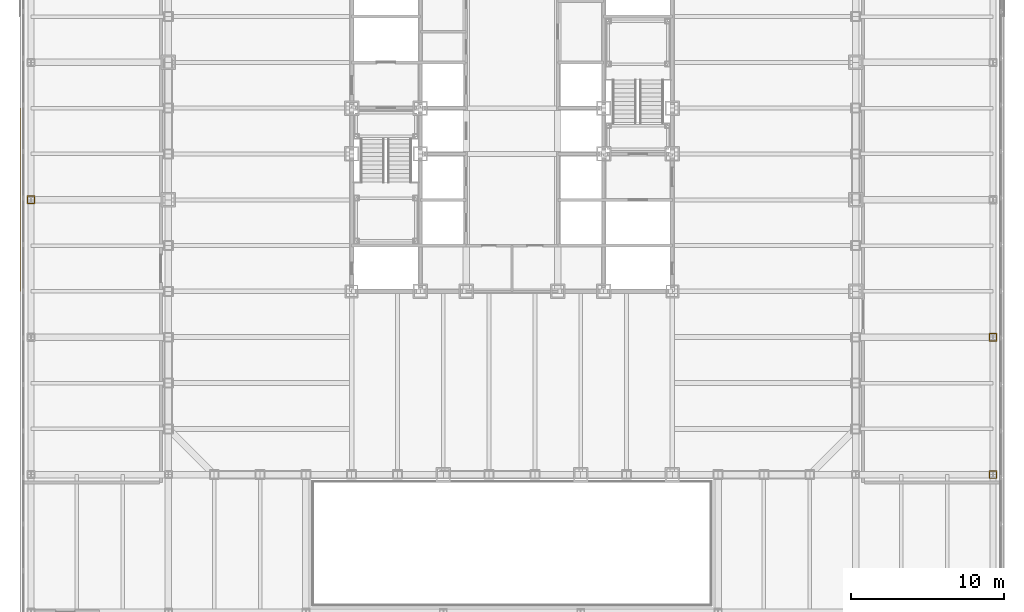
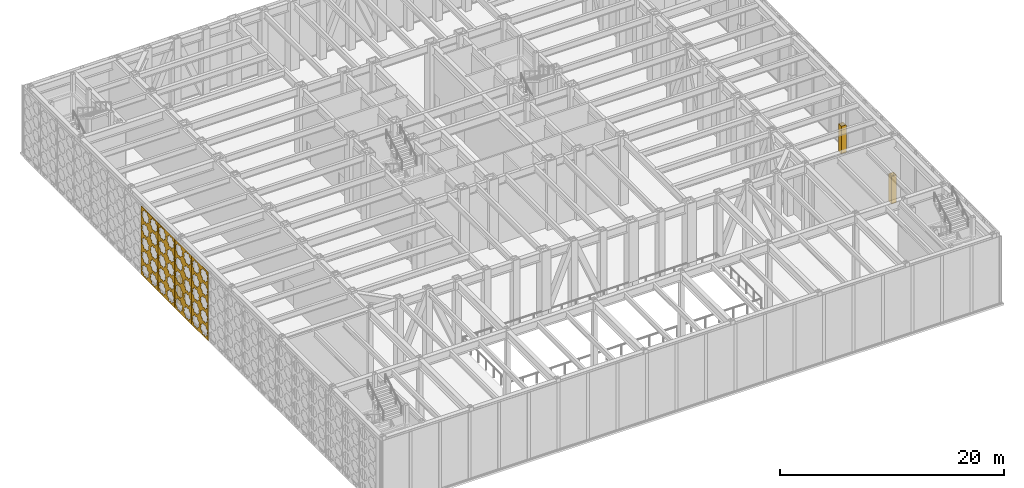
# One storey, part 27 of 34: 4 shading devices, 3 coverings.
"""IFC4 building model written with IfcOpenShell, lengths in metres."""

from ifc_helpers import new_model, si_unit, direction, frame, origin, place, context, subcontext, project, spatial, polyline, outline, extrude, material, layer, layer_set, type_object, element, save


model = new_model("IFC4")

# Units and contexts
model_context = context("Model", 3, precision=1e-05, world=origin(), true_north=direction((0.0, 1.0)))
body_context = subcontext(model_context, "Body", "Model", "MODEL_VIEW")
ifc_project = project(units=[si_unit("LENGTHUNIT", "METRE"), si_unit("AREAUNIT", "SQUARE_METRE"), si_unit("VOLUMEUNIT", "CUBIC_METRE"), si_unit("PLANEANGLEUNIT", "RADIAN"), si_unit("MASSUNIT", "GRAM", prefix="KILO")], contexts=[model_context])

# Site, building, storey
site_placement = place(None, origin())
site = spatial("IfcSite", under=ifc_project, at=site_placement, CompositionType="ELEMENT")
building_placement = place(site_placement, origin())
building = spatial("IfcBuilding", under=site, at=building_placement, Name="Chuquiago Exchange Tower", CompositionType="ELEMENT")
storey_placement = place(building_placement, frame((0.0, 0.0, 6.0)))
storey = spatial("IfcBuildingStorey", under=building, at=storey_placement, Name="L01", CompositionType="ELEMENT", Elevation=6.0)

# Coverings
ifc_material_1 = material(Name="Pale metal sheet casing on rails", Category="aluminium")
ifc_layer_1 = layer(ifc_material_1, 0.050048828125)
ifc_layer_set_1 = layer_set([ifc_layer_1], Name="CS1 column casing 50")
covering_type = type_object("IfcCoveringType", Name="CS1 column casing 50", PredefinedType="CLADDING", material=ifc_layer_set_1)
covering_1_placement = place(storey_placement, origin())
element("IfcCovering", 1, at=covering_1_placement, inside=storey, type_object=covering_type, Name="Column casing L01", PredefinedType="CLADDING", context=body_context, shape_type="SweptSolid", body=[
    extrude(outline(polyline([(-9.255615234375, 17.73291015625), (-8.744384765625, 17.73291015625), (-8.744384765625, 18.26708984375), (-9.255615234375, 18.26708984375), (-9.255615234375, 17.73291015625)]), holes=[polyline([(-9.205810546875, 17.78271484375), (-9.205810546875, 18.21728515625), (-8.794189453125, 18.21728515625), (-8.794189453125, 17.78271484375), (-9.205810546875, 17.78271484375)])]), origin(), (0.0, 0.0, 1.0), 3.0),
])
covering_2_placement = place(storey_placement, origin())
element("IfcCovering", 2, at=covering_2_placement, inside=storey, type_object=covering_type, Name="Column casing L01", PredefinedType="CLADDING", context=body_context, shape_type="SweptSolid", body=[
    extrude(outline(polyline([(53.744384765625, -0.26708984375), (54.255615234375, -0.26708984375), (54.255615234375, 0.26708984375), (53.744384765625, 0.26708984375), (53.744384765625, -0.26708984375)]), holes=[polyline([(53.794189453125, -0.21728515625), (53.794189453125, 0.21728515625), (54.205810546875, 0.21728515625), (54.205810546875, -0.21728515625), (53.794189453125, -0.21728515625)])]), origin(), (0.0, 0.0, 1.0), 3.0),
])
covering_3_placement = place(storey_placement, origin())
element("IfcCovering", 3, at=covering_3_placement, inside=storey, type_object=covering_type, Name="Column casing L01", PredefinedType="CLADDING", context=body_context, shape_type="SweptSolid", body=[
    extrude(outline(polyline([(53.744384765625, 8.73291015625), (54.255615234375, 8.73291015625), (54.255615234375, 9.26708984375), (53.744384765625, 9.26708984375), (53.744384765625, 8.73291015625)]), holes=[polyline([(53.794189453125, 8.78271484375), (53.794189453125, 9.21728515625), (54.205810546875, 9.21728515625), (54.205810546875, 8.78271484375), (53.794189453125, 8.78271484375)])]), origin(), (0.0, 0.0, 1.0), 3.0),
])

# Shading devices
ifc_material_2 = material(Name="Pale metal, perforated in an eight-point star pattern", Category="aluminium")
ifc_layer_2 = layer(ifc_material_2, 0.02001953125)
ifc_layer_set_2 = layer_set([ifc_layer_2], Name="SC1 mashrabiya screen 20")
shading_device_type = type_object("IfcShadingDeviceType", Name="SC1 mashrabiya screen 20", PredefinedType="SHUTTER", material=ifc_layer_set_2)
shading_device_1_placement = place(storey_placement, frame((-9.699951171875, 14.989990234375, -0.199951171875), z_axis=(0.0, 0.0, 1.0), x_axis=(0.0, -1.0, 0.0)))
element("IfcShadingDevice", 4, at=shading_device_1_placement, inside=storey, type_object=shading_device_type, Name="Mashrabiya screen L01 W 11", PredefinedType="SHUTTER", context=body_context, shape_type="SweptSolid", body=[
    extrude(outline(polyline([(0.0, 0.0), (2.97998046875, 0.0), (2.97998046875, 7.5), (0.0, 7.5), (0.0, 0.0)]), holes=[polyline([(1.26953125, 0.77001953125), (1.378173828125, 1.0322265625), (1.115966796875, 1.140869140625), (1.00732421875, 1.403076171875), (0.7451171875, 1.29443359375), (0.482666015625, 1.403076171875), (0.3740234375, 1.140869140625), (0.11181640625, 1.0322265625), (0.220458984375, 0.77001953125), (0.11181640625, 0.507568359375), (0.3740234375, 0.39892578125), (0.482666015625, 0.13671875), (0.7451171875, 0.245361328125), (1.00732421875, 0.13671875), (1.115966796875, 0.39892578125), (1.378173828125, 0.507568359375), (1.26953125, 0.77001953125)]), polyline([(2.759521484375, 0.77001953125), (2.8681640625, 1.0322265625), (2.60595703125, 1.140869140625), (2.497314453125, 1.403076171875), (2.235107421875, 1.29443359375), (1.97265625, 1.403076171875), (1.864013671875, 1.140869140625), (1.601806640625, 1.0322265625), (1.71044921875, 0.77001953125), (1.601806640625, 0.507568359375), (1.864013671875, 0.39892578125), (1.97265625, 0.13671875), (2.235107421875, 0.245361328125), (2.497314453125, 0.13671875), (2.60595703125, 0.39892578125), (2.8681640625, 0.507568359375), (2.759521484375, 0.77001953125)]), polyline([(1.26953125, 2.260009765625), (1.378173828125, 2.522216796875), (1.115966796875, 2.630859375), (1.00732421875, 2.89306640625), (0.7451171875, 2.78466796875), (0.482666015625, 2.89306640625), (0.3740234375, 2.630859375), (0.11181640625, 2.522216796875), (0.220458984375, 2.260009765625), (0.11181640625, 1.99755859375), (0.3740234375, 1.888916015625), (0.482666015625, 1.626708984375), (0.7451171875, 1.7353515625), (1.00732421875, 1.626708984375), (1.115966796875, 1.888916015625), (1.378173828125, 1.99755859375), (1.26953125, 2.260009765625)]), polyline([(2.759521484375, 2.260009765625), (2.8681640625, 2.522216796875), (2.60595703125, 2.630859375), (2.497314453125, 2.89306640625), (2.235107421875, 2.78466796875), (1.97265625, 2.89306640625), (1.864013671875, 2.630859375), (1.601806640625, 2.522216796875), (1.71044921875, 2.260009765625), (1.601806640625, 1.99755859375), (1.864013671875, 1.888916015625), (1.97265625, 1.626708984375), (2.235107421875, 1.7353515625), (2.497314453125, 1.626708984375), (2.60595703125, 1.888916015625), (2.8681640625, 1.99755859375), (2.759521484375, 2.260009765625)]), polyline([(1.26953125, 3.75), (1.378173828125, 4.01220703125), (1.115966796875, 4.120849609375), (1.00732421875, 4.383056640625), (0.7451171875, 4.274658203125), (0.482666015625, 4.383056640625), (0.3740234375, 4.120849609375), (0.11181640625, 4.01220703125), (0.220458984375, 3.75), (0.11181640625, 3.487548828125), (0.3740234375, 3.37890625), (0.482666015625, 3.11669921875), (0.7451171875, 3.225341796875), (1.00732421875, 3.11669921875), (1.115966796875, 3.37890625), (1.378173828125, 3.487548828125), (1.26953125, 3.75)]), polyline([(2.759521484375, 3.75), (2.8681640625, 4.01220703125), (2.60595703125, 4.120849609375), (2.497314453125, 4.383056640625), (2.235107421875, 4.274658203125), (1.97265625, 4.383056640625), (1.864013671875, 4.120849609375), (1.601806640625, 4.01220703125), (1.71044921875, 3.75), (1.601806640625, 3.487548828125), (1.864013671875, 3.37890625), (1.97265625, 3.11669921875), (2.235107421875, 3.225341796875), (2.497314453125, 3.11669921875), (2.60595703125, 3.37890625), (2.8681640625, 3.487548828125), (2.759521484375, 3.75)]), polyline([(1.26953125, 5.239990234375), (1.378173828125, 5.502197265625), (1.115966796875, 5.61083984375), (1.00732421875, 5.873046875), (0.7451171875, 5.7646484375), (0.482666015625, 5.873046875), (0.3740234375, 5.61083984375), (0.11181640625, 5.502197265625), (0.220458984375, 5.239990234375), (0.11181640625, 4.9775390625), (0.3740234375, 4.868896484375), (0.482666015625, 4.606689453125), (0.7451171875, 4.71533203125), (1.00732421875, 4.606689453125), (1.115966796875, 4.868896484375), (1.378173828125, 4.9775390625), (1.26953125, 5.239990234375)]), polyline([(2.759521484375, 5.239990234375), (2.8681640625, 5.502197265625), (2.60595703125, 5.61083984375), (2.497314453125, 5.873046875), (2.235107421875, 5.7646484375), (1.97265625, 5.873046875), (1.864013671875, 5.61083984375), (1.601806640625, 5.502197265625), (1.71044921875, 5.239990234375), (1.601806640625, 4.9775390625), (1.864013671875, 4.868896484375), (1.97265625, 4.606689453125), (2.235107421875, 4.71533203125), (2.497314453125, 4.606689453125), (2.60595703125, 4.868896484375), (2.8681640625, 4.9775390625), (2.759521484375, 5.239990234375)]), polyline([(1.26953125, 6.72998046875), (1.378173828125, 6.9921875), (1.115966796875, 7.100830078125), (1.00732421875, 7.363037109375), (0.7451171875, 7.254638671875), (0.482666015625, 7.363037109375), (0.3740234375, 7.100830078125), (0.11181640625, 6.9921875), (0.220458984375, 6.72998046875), (0.11181640625, 6.467529296875), (0.3740234375, 6.35888671875), (0.482666015625, 6.0966796875), (0.7451171875, 6.205322265625), (1.00732421875, 6.0966796875), (1.115966796875, 6.35888671875), (1.378173828125, 6.467529296875), (1.26953125, 6.72998046875)]), polyline([(2.759521484375, 6.72998046875), (2.8681640625, 6.9921875), (2.60595703125, 7.100830078125), (2.497314453125, 7.363037109375), (2.235107421875, 7.254638671875), (1.97265625, 7.363037109375), (1.864013671875, 7.100830078125), (1.601806640625, 6.9921875), (1.71044921875, 6.72998046875), (1.601806640625, 6.467529296875), (1.864013671875, 6.35888671875), (1.97265625, 6.0966796875), (2.235107421875, 6.205322265625), (2.497314453125, 6.0966796875), (2.60595703125, 6.35888671875), (2.8681640625, 6.467529296875), (2.759521484375, 6.72998046875)])]), frame((0.0, 0.0, 0.0), z_axis=(0.0, -1.0, 0.0), x_axis=(1.0, 0.0, 0.0)), (0.0, 0.0, 1.0), 0.02001953125),
])
shading_device_2_placement = place(storey_placement, frame((-9.699951171875, 17.989990234375, -0.199951171875), z_axis=(0.0, 0.0, 1.0), x_axis=(0.0, -1.0, 0.0)))
element("IfcShadingDevice", 5, at=shading_device_2_placement, inside=storey, type_object=shading_device_type, Name="Mashrabiya screen L01 W 12", PredefinedType="SHUTTER", context=body_context, shape_type="SweptSolid", body=[
    extrude(outline(polyline([(0.0, 0.0), (2.97998046875, 0.0), (2.97998046875, 7.5), (0.0, 7.5), (0.0, 0.0)]), holes=[polyline([(1.26953125, 0.77001953125), (1.378173828125, 1.0322265625), (1.115966796875, 1.140869140625), (1.00732421875, 1.403076171875), (0.7451171875, 1.29443359375), (0.482666015625, 1.403076171875), (0.3740234375, 1.140869140625), (0.11181640625, 1.0322265625), (0.220458984375, 0.77001953125), (0.11181640625, 0.507568359375), (0.3740234375, 0.39892578125), (0.482666015625, 0.13671875), (0.7451171875, 0.245361328125), (1.00732421875, 0.13671875), (1.115966796875, 0.39892578125), (1.378173828125, 0.507568359375), (1.26953125, 0.77001953125)]), polyline([(2.759521484375, 0.77001953125), (2.8681640625, 1.0322265625), (2.60595703125, 1.140869140625), (2.497314453125, 1.403076171875), (2.235107421875, 1.29443359375), (1.97265625, 1.403076171875), (1.864013671875, 1.140869140625), (1.601806640625, 1.0322265625), (1.71044921875, 0.77001953125), (1.601806640625, 0.507568359375), (1.864013671875, 0.39892578125), (1.97265625, 0.13671875), (2.235107421875, 0.245361328125), (2.497314453125, 0.13671875), (2.60595703125, 0.39892578125), (2.8681640625, 0.507568359375), (2.759521484375, 0.77001953125)]), polyline([(1.26953125, 2.260009765625), (1.378173828125, 2.522216796875), (1.115966796875, 2.630859375), (1.00732421875, 2.89306640625), (0.7451171875, 2.78466796875), (0.482666015625, 2.89306640625), (0.3740234375, 2.630859375), (0.11181640625, 2.522216796875), (0.220458984375, 2.260009765625), (0.11181640625, 1.99755859375), (0.3740234375, 1.888916015625), (0.482666015625, 1.626708984375), (0.7451171875, 1.7353515625), (1.00732421875, 1.626708984375), (1.115966796875, 1.888916015625), (1.378173828125, 1.99755859375), (1.26953125, 2.260009765625)]), polyline([(2.759521484375, 2.260009765625), (2.8681640625, 2.522216796875), (2.60595703125, 2.630859375), (2.497314453125, 2.89306640625), (2.235107421875, 2.78466796875), (1.97265625, 2.89306640625), (1.864013671875, 2.630859375), (1.601806640625, 2.522216796875), (1.71044921875, 2.260009765625), (1.601806640625, 1.99755859375), (1.864013671875, 1.888916015625), (1.97265625, 1.626708984375), (2.235107421875, 1.7353515625), (2.497314453125, 1.626708984375), (2.60595703125, 1.888916015625), (2.8681640625, 1.99755859375), (2.759521484375, 2.260009765625)]), polyline([(1.26953125, 3.75), (1.378173828125, 4.01220703125), (1.115966796875, 4.120849609375), (1.00732421875, 4.383056640625), (0.7451171875, 4.274658203125), (0.482666015625, 4.383056640625), (0.3740234375, 4.120849609375), (0.11181640625, 4.01220703125), (0.220458984375, 3.75), (0.11181640625, 3.487548828125), (0.3740234375, 3.37890625), (0.482666015625, 3.11669921875), (0.7451171875, 3.225341796875), (1.00732421875, 3.11669921875), (1.115966796875, 3.37890625), (1.378173828125, 3.487548828125), (1.26953125, 3.75)]), polyline([(2.759521484375, 3.75), (2.8681640625, 4.01220703125), (2.60595703125, 4.120849609375), (2.497314453125, 4.383056640625), (2.235107421875, 4.274658203125), (1.97265625, 4.383056640625), (1.864013671875, 4.120849609375), (1.601806640625, 4.01220703125), (1.71044921875, 3.75), (1.601806640625, 3.487548828125), (1.864013671875, 3.37890625), (1.97265625, 3.11669921875), (2.235107421875, 3.225341796875), (2.497314453125, 3.11669921875), (2.60595703125, 3.37890625), (2.8681640625, 3.487548828125), (2.759521484375, 3.75)]), polyline([(1.26953125, 5.239990234375), (1.378173828125, 5.502197265625), (1.115966796875, 5.61083984375), (1.00732421875, 5.873046875), (0.7451171875, 5.7646484375), (0.482666015625, 5.873046875), (0.3740234375, 5.61083984375), (0.11181640625, 5.502197265625), (0.220458984375, 5.239990234375), (0.11181640625, 4.9775390625), (0.3740234375, 4.868896484375), (0.482666015625, 4.606689453125), (0.7451171875, 4.71533203125), (1.00732421875, 4.606689453125), (1.115966796875, 4.868896484375), (1.378173828125, 4.9775390625), (1.26953125, 5.239990234375)]), polyline([(2.759521484375, 5.239990234375), (2.8681640625, 5.502197265625), (2.60595703125, 5.61083984375), (2.497314453125, 5.873046875), (2.235107421875, 5.7646484375), (1.97265625, 5.873046875), (1.864013671875, 5.61083984375), (1.601806640625, 5.502197265625), (1.71044921875, 5.239990234375), (1.601806640625, 4.9775390625), (1.864013671875, 4.868896484375), (1.97265625, 4.606689453125), (2.235107421875, 4.71533203125), (2.497314453125, 4.606689453125), (2.60595703125, 4.868896484375), (2.8681640625, 4.9775390625), (2.759521484375, 5.239990234375)]), polyline([(1.26953125, 6.72998046875), (1.378173828125, 6.9921875), (1.115966796875, 7.100830078125), (1.00732421875, 7.363037109375), (0.7451171875, 7.254638671875), (0.482666015625, 7.363037109375), (0.3740234375, 7.100830078125), (0.11181640625, 6.9921875), (0.220458984375, 6.72998046875), (0.11181640625, 6.467529296875), (0.3740234375, 6.35888671875), (0.482666015625, 6.0966796875), (0.7451171875, 6.205322265625), (1.00732421875, 6.0966796875), (1.115966796875, 6.35888671875), (1.378173828125, 6.467529296875), (1.26953125, 6.72998046875)]), polyline([(2.759521484375, 6.72998046875), (2.8681640625, 6.9921875), (2.60595703125, 7.100830078125), (2.497314453125, 7.363037109375), (2.235107421875, 7.254638671875), (1.97265625, 7.363037109375), (1.864013671875, 7.100830078125), (1.601806640625, 6.9921875), (1.71044921875, 6.72998046875), (1.601806640625, 6.467529296875), (1.864013671875, 6.35888671875), (1.97265625, 6.0966796875), (2.235107421875, 6.205322265625), (2.497314453125, 6.0966796875), (2.60595703125, 6.35888671875), (2.8681640625, 6.467529296875), (2.759521484375, 6.72998046875)])]), frame((0.0, 0.0, 0.0), z_axis=(0.0, -1.0, 0.0), x_axis=(1.0, 0.0, 0.0)), (0.0, 0.0, 1.0), 0.02001953125),
])
shading_device_3_placement = place(storey_placement, frame((-9.699951171875, 20.989990234375, -0.199951171875), z_axis=(0.0, 0.0, 1.0), x_axis=(0.0, -1.0, 0.0)))
element("IfcShadingDevice", 6, at=shading_device_3_placement, inside=storey, type_object=shading_device_type, Name="Mashrabiya screen L01 W 13", PredefinedType="SHUTTER", context=body_context, shape_type="SweptSolid", body=[
    extrude(outline(polyline([(0.0, 0.0), (2.97998046875, 0.0), (2.97998046875, 7.5), (0.0, 7.5), (0.0, 0.0)]), holes=[polyline([(1.26953125, 0.77001953125), (1.378173828125, 1.0322265625), (1.115966796875, 1.140869140625), (1.00732421875, 1.403076171875), (0.7451171875, 1.29443359375), (0.482666015625, 1.403076171875), (0.3740234375, 1.140869140625), (0.11181640625, 1.0322265625), (0.220458984375, 0.77001953125), (0.11181640625, 0.507568359375), (0.3740234375, 0.39892578125), (0.482666015625, 0.13671875), (0.7451171875, 0.245361328125), (1.00732421875, 0.13671875), (1.115966796875, 0.39892578125), (1.378173828125, 0.507568359375), (1.26953125, 0.77001953125)]), polyline([(2.759521484375, 0.77001953125), (2.8681640625, 1.0322265625), (2.60595703125, 1.140869140625), (2.497314453125, 1.403076171875), (2.235107421875, 1.29443359375), (1.97265625, 1.403076171875), (1.864013671875, 1.140869140625), (1.601806640625, 1.0322265625), (1.71044921875, 0.77001953125), (1.601806640625, 0.507568359375), (1.864013671875, 0.39892578125), (1.97265625, 0.13671875), (2.235107421875, 0.245361328125), (2.497314453125, 0.13671875), (2.60595703125, 0.39892578125), (2.8681640625, 0.507568359375), (2.759521484375, 0.77001953125)]), polyline([(1.26953125, 2.260009765625), (1.378173828125, 2.522216796875), (1.115966796875, 2.630859375), (1.00732421875, 2.89306640625), (0.7451171875, 2.78466796875), (0.482666015625, 2.89306640625), (0.3740234375, 2.630859375), (0.11181640625, 2.522216796875), (0.220458984375, 2.260009765625), (0.11181640625, 1.99755859375), (0.3740234375, 1.888916015625), (0.482666015625, 1.626708984375), (0.7451171875, 1.7353515625), (1.00732421875, 1.626708984375), (1.115966796875, 1.888916015625), (1.378173828125, 1.99755859375), (1.26953125, 2.260009765625)]), polyline([(2.759521484375, 2.260009765625), (2.8681640625, 2.522216796875), (2.60595703125, 2.630859375), (2.497314453125, 2.89306640625), (2.235107421875, 2.78466796875), (1.97265625, 2.89306640625), (1.864013671875, 2.630859375), (1.601806640625, 2.522216796875), (1.71044921875, 2.260009765625), (1.601806640625, 1.99755859375), (1.864013671875, 1.888916015625), (1.97265625, 1.626708984375), (2.235107421875, 1.7353515625), (2.497314453125, 1.626708984375), (2.60595703125, 1.888916015625), (2.8681640625, 1.99755859375), (2.759521484375, 2.260009765625)]), polyline([(1.26953125, 3.75), (1.378173828125, 4.01220703125), (1.115966796875, 4.120849609375), (1.00732421875, 4.383056640625), (0.7451171875, 4.274658203125), (0.482666015625, 4.383056640625), (0.3740234375, 4.120849609375), (0.11181640625, 4.01220703125), (0.220458984375, 3.75), (0.11181640625, 3.487548828125), (0.3740234375, 3.37890625), (0.482666015625, 3.11669921875), (0.7451171875, 3.225341796875), (1.00732421875, 3.11669921875), (1.115966796875, 3.37890625), (1.378173828125, 3.487548828125), (1.26953125, 3.75)]), polyline([(2.759521484375, 3.75), (2.8681640625, 4.01220703125), (2.60595703125, 4.120849609375), (2.497314453125, 4.383056640625), (2.235107421875, 4.274658203125), (1.97265625, 4.383056640625), (1.864013671875, 4.120849609375), (1.601806640625, 4.01220703125), (1.71044921875, 3.75), (1.601806640625, 3.487548828125), (1.864013671875, 3.37890625), (1.97265625, 3.11669921875), (2.235107421875, 3.225341796875), (2.497314453125, 3.11669921875), (2.60595703125, 3.37890625), (2.8681640625, 3.487548828125), (2.759521484375, 3.75)]), polyline([(1.26953125, 5.239990234375), (1.378173828125, 5.502197265625), (1.115966796875, 5.61083984375), (1.00732421875, 5.873046875), (0.7451171875, 5.7646484375), (0.482666015625, 5.873046875), (0.3740234375, 5.61083984375), (0.11181640625, 5.502197265625), (0.220458984375, 5.239990234375), (0.11181640625, 4.9775390625), (0.3740234375, 4.868896484375), (0.482666015625, 4.606689453125), (0.7451171875, 4.71533203125), (1.00732421875, 4.606689453125), (1.115966796875, 4.868896484375), (1.378173828125, 4.9775390625), (1.26953125, 5.239990234375)]), polyline([(2.759521484375, 5.239990234375), (2.8681640625, 5.502197265625), (2.60595703125, 5.61083984375), (2.497314453125, 5.873046875), (2.235107421875, 5.7646484375), (1.97265625, 5.873046875), (1.864013671875, 5.61083984375), (1.601806640625, 5.502197265625), (1.71044921875, 5.239990234375), (1.601806640625, 4.9775390625), (1.864013671875, 4.868896484375), (1.97265625, 4.606689453125), (2.235107421875, 4.71533203125), (2.497314453125, 4.606689453125), (2.60595703125, 4.868896484375), (2.8681640625, 4.9775390625), (2.759521484375, 5.239990234375)]), polyline([(1.26953125, 6.72998046875), (1.378173828125, 6.9921875), (1.115966796875, 7.100830078125), (1.00732421875, 7.363037109375), (0.7451171875, 7.254638671875), (0.482666015625, 7.363037109375), (0.3740234375, 7.100830078125), (0.11181640625, 6.9921875), (0.220458984375, 6.72998046875), (0.11181640625, 6.467529296875), (0.3740234375, 6.35888671875), (0.482666015625, 6.0966796875), (0.7451171875, 6.205322265625), (1.00732421875, 6.0966796875), (1.115966796875, 6.35888671875), (1.378173828125, 6.467529296875), (1.26953125, 6.72998046875)]), polyline([(2.759521484375, 6.72998046875), (2.8681640625, 6.9921875), (2.60595703125, 7.100830078125), (2.497314453125, 7.363037109375), (2.235107421875, 7.254638671875), (1.97265625, 7.363037109375), (1.864013671875, 7.100830078125), (1.601806640625, 6.9921875), (1.71044921875, 6.72998046875), (1.601806640625, 6.467529296875), (1.864013671875, 6.35888671875), (1.97265625, 6.0966796875), (2.235107421875, 6.205322265625), (2.497314453125, 6.0966796875), (2.60595703125, 6.35888671875), (2.8681640625, 6.467529296875), (2.759521484375, 6.72998046875)])]), frame((0.0, 0.0, 0.0), z_axis=(0.0, -1.0, 0.0), x_axis=(1.0, 0.0, 0.0)), (0.0, 0.0, 1.0), 0.02001953125),
])
shading_device_4_placement = place(storey_placement, frame((-9.699951171875, 23.989990234375, -0.199951171875), z_axis=(0.0, 0.0, 1.0), x_axis=(0.0, -1.0, 0.0)))
element("IfcShadingDevice", 7, at=shading_device_4_placement, inside=storey, type_object=shading_device_type, Name="Mashrabiya screen L01 W 14", PredefinedType="SHUTTER", context=body_context, shape_type="SweptSolid", body=[
    extrude(outline(polyline([(0.0, 0.0), (2.97998046875, 0.0), (2.97998046875, 7.5), (0.0, 7.5), (0.0, 0.0)]), holes=[polyline([(1.26953125, 0.77001953125), (1.378173828125, 1.0322265625), (1.115966796875, 1.140869140625), (1.00732421875, 1.403076171875), (0.7451171875, 1.29443359375), (0.482666015625, 1.403076171875), (0.3740234375, 1.140869140625), (0.11181640625, 1.0322265625), (0.220458984375, 0.77001953125), (0.11181640625, 0.507568359375), (0.3740234375, 0.39892578125), (0.482666015625, 0.13671875), (0.7451171875, 0.245361328125), (1.00732421875, 0.13671875), (1.115966796875, 0.39892578125), (1.378173828125, 0.507568359375), (1.26953125, 0.77001953125)]), polyline([(2.759521484375, 0.77001953125), (2.8681640625, 1.0322265625), (2.60595703125, 1.140869140625), (2.497314453125, 1.403076171875), (2.235107421875, 1.29443359375), (1.97265625, 1.403076171875), (1.864013671875, 1.140869140625), (1.601806640625, 1.0322265625), (1.71044921875, 0.77001953125), (1.601806640625, 0.507568359375), (1.864013671875, 0.39892578125), (1.97265625, 0.13671875), (2.235107421875, 0.245361328125), (2.497314453125, 0.13671875), (2.60595703125, 0.39892578125), (2.8681640625, 0.507568359375), (2.759521484375, 0.77001953125)]), polyline([(1.26953125, 2.260009765625), (1.378173828125, 2.522216796875), (1.115966796875, 2.630859375), (1.00732421875, 2.89306640625), (0.7451171875, 2.78466796875), (0.482666015625, 2.89306640625), (0.3740234375, 2.630859375), (0.11181640625, 2.522216796875), (0.220458984375, 2.260009765625), (0.11181640625, 1.99755859375), (0.3740234375, 1.888916015625), (0.482666015625, 1.626708984375), (0.7451171875, 1.7353515625), (1.00732421875, 1.626708984375), (1.115966796875, 1.888916015625), (1.378173828125, 1.99755859375), (1.26953125, 2.260009765625)]), polyline([(2.759521484375, 2.260009765625), (2.8681640625, 2.522216796875), (2.60595703125, 2.630859375), (2.497314453125, 2.89306640625), (2.235107421875, 2.78466796875), (1.97265625, 2.89306640625), (1.864013671875, 2.630859375), (1.601806640625, 2.522216796875), (1.71044921875, 2.260009765625), (1.601806640625, 1.99755859375), (1.864013671875, 1.888916015625), (1.97265625, 1.626708984375), (2.235107421875, 1.7353515625), (2.497314453125, 1.626708984375), (2.60595703125, 1.888916015625), (2.8681640625, 1.99755859375), (2.759521484375, 2.260009765625)]), polyline([(1.26953125, 3.75), (1.378173828125, 4.01220703125), (1.115966796875, 4.120849609375), (1.00732421875, 4.383056640625), (0.7451171875, 4.274658203125), (0.482666015625, 4.383056640625), (0.3740234375, 4.120849609375), (0.11181640625, 4.01220703125), (0.220458984375, 3.75), (0.11181640625, 3.487548828125), (0.3740234375, 3.37890625), (0.482666015625, 3.11669921875), (0.7451171875, 3.225341796875), (1.00732421875, 3.11669921875), (1.115966796875, 3.37890625), (1.378173828125, 3.487548828125), (1.26953125, 3.75)]), polyline([(2.759521484375, 3.75), (2.8681640625, 4.01220703125), (2.60595703125, 4.120849609375), (2.497314453125, 4.383056640625), (2.235107421875, 4.274658203125), (1.97265625, 4.383056640625), (1.864013671875, 4.120849609375), (1.601806640625, 4.01220703125), (1.71044921875, 3.75), (1.601806640625, 3.487548828125), (1.864013671875, 3.37890625), (1.97265625, 3.11669921875), (2.235107421875, 3.225341796875), (2.497314453125, 3.11669921875), (2.60595703125, 3.37890625), (2.8681640625, 3.487548828125), (2.759521484375, 3.75)]), polyline([(1.26953125, 5.239990234375), (1.378173828125, 5.502197265625), (1.115966796875, 5.61083984375), (1.00732421875, 5.873046875), (0.7451171875, 5.7646484375), (0.482666015625, 5.873046875), (0.3740234375, 5.61083984375), (0.11181640625, 5.502197265625), (0.220458984375, 5.239990234375), (0.11181640625, 4.9775390625), (0.3740234375, 4.868896484375), (0.482666015625, 4.606689453125), (0.7451171875, 4.71533203125), (1.00732421875, 4.606689453125), (1.115966796875, 4.868896484375), (1.378173828125, 4.9775390625), (1.26953125, 5.239990234375)]), polyline([(2.759521484375, 5.239990234375), (2.8681640625, 5.502197265625), (2.60595703125, 5.61083984375), (2.497314453125, 5.873046875), (2.235107421875, 5.7646484375), (1.97265625, 5.873046875), (1.864013671875, 5.61083984375), (1.601806640625, 5.502197265625), (1.71044921875, 5.239990234375), (1.601806640625, 4.9775390625), (1.864013671875, 4.868896484375), (1.97265625, 4.606689453125), (2.235107421875, 4.71533203125), (2.497314453125, 4.606689453125), (2.60595703125, 4.868896484375), (2.8681640625, 4.9775390625), (2.759521484375, 5.239990234375)]), polyline([(1.26953125, 6.72998046875), (1.378173828125, 6.9921875), (1.115966796875, 7.100830078125), (1.00732421875, 7.363037109375), (0.7451171875, 7.254638671875), (0.482666015625, 7.363037109375), (0.3740234375, 7.100830078125), (0.11181640625, 6.9921875), (0.220458984375, 6.72998046875), (0.11181640625, 6.467529296875), (0.3740234375, 6.35888671875), (0.482666015625, 6.0966796875), (0.7451171875, 6.205322265625), (1.00732421875, 6.0966796875), (1.115966796875, 6.35888671875), (1.378173828125, 6.467529296875), (1.26953125, 6.72998046875)]), polyline([(2.759521484375, 6.72998046875), (2.8681640625, 6.9921875), (2.60595703125, 7.100830078125), (2.497314453125, 7.363037109375), (2.235107421875, 7.254638671875), (1.97265625, 7.363037109375), (1.864013671875, 7.100830078125), (1.601806640625, 6.9921875), (1.71044921875, 6.72998046875), (1.601806640625, 6.467529296875), (1.864013671875, 6.35888671875), (1.97265625, 6.0966796875), (2.235107421875, 6.205322265625), (2.497314453125, 6.0966796875), (2.60595703125, 6.35888671875), (2.8681640625, 6.467529296875), (2.759521484375, 6.72998046875)])]), frame((0.0, 0.0, 0.0), z_axis=(0.0, -1.0, 0.0), x_axis=(1.0, 0.0, 0.0)), (0.0, 0.0, 1.0), 0.02001953125),
])

save(model, "model.ifc")
